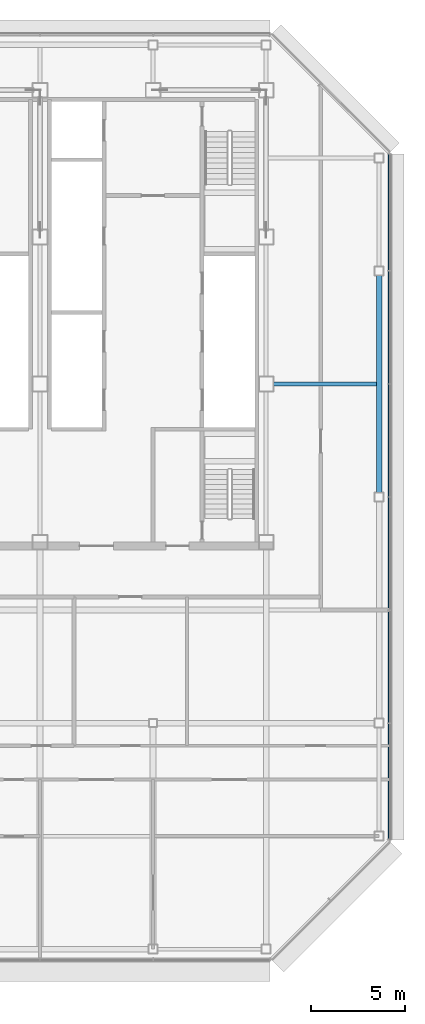
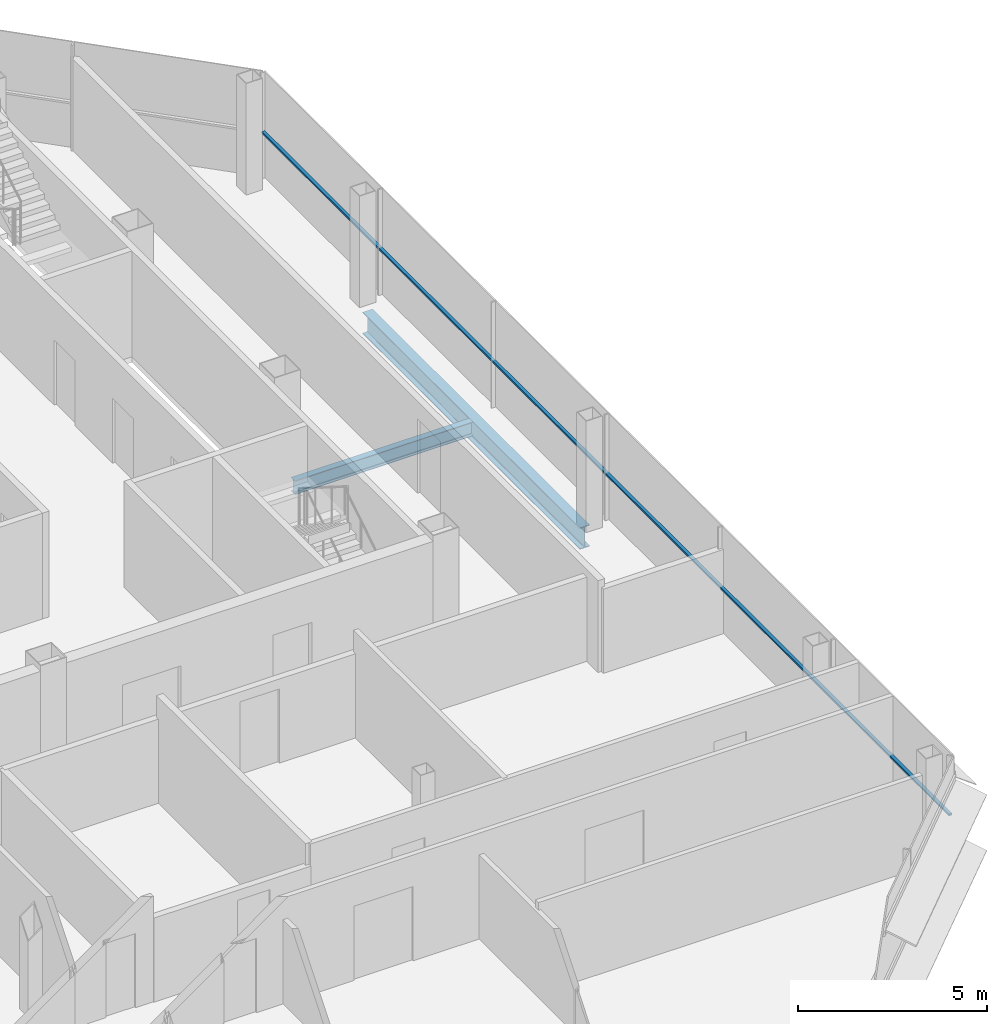
# One storey, part 18 of 27: 2 beams, 1 member, 1 element without a shape of its own.
"""IFC4 building model written with IfcOpenShell, lengths in metres."""

from ifc_helpers import new_model, si_unit, direction, frame, origin, origin_2d, place, context, subcontext, project, spatial, rectangle, i_section, extrude, material, material_profile, profile_set, type_object, element, aggregate, save


model = new_model("IFC4")

# Units and contexts
model_context = context("Model", 3, precision=1e-05, world=origin(), true_north=direction((0.0, 1.0)))
body_context = subcontext(model_context, "Body", "Model", "MODEL_VIEW")
ifc_project = project(units=[si_unit("LENGTHUNIT", "METRE"), si_unit("AREAUNIT", "SQUARE_METRE"), si_unit("VOLUMEUNIT", "CUBIC_METRE"), si_unit("PLANEANGLEUNIT", "RADIAN"), si_unit("MASSUNIT", "GRAM", prefix="KILO")], contexts=[model_context])

# Site, building, storey
site_placement = place(None, origin())
site = spatial("IfcSite", under=ifc_project, at=site_placement, CompositionType="ELEMENT")
building_placement = place(site_placement, origin())
building = spatial("IfcBuilding", under=site, at=building_placement, Name="Sorahane Residences", CompositionType="ELEMENT")
storey_placement = place(building_placement, frame((0.0, 0.0, 323.199951171875)))
storey = spatial("IfcBuildingStorey", under=building, at=storey_placement, Name="L77", CompositionType="ELEMENT", Elevation=323.199951171875)

# Curtain wall, member
ifc_material_1 = material(Name="Dark low-e glass and black anodised aluminium", Category="aluminium")
curtain_wall_type = type_object("IfcCurtainWallType", Name="Curtain wall CW-1 Typical unitised wall", PredefinedType="NOTDEFINED", material=ifc_material_1)
curtain_wall_placement = place(storey_placement, origin())
curtain_wall = element("IfcCurtainWall", 1, at=curtain_wall_placement, inside=storey, type_object=curtain_wall_type, Name="CW-1 curtain wall L77 E1", PredefinedType="NOTDEFINED")
ifc_material_2 = material(Name="Black anodised aluminium", Category="aluminium")
ifc_material_profile_1 = material_profile(ifc_material_2, rectangle(XDim=0.10009765625, YDim=0.06005859375, at=origin_2d()), Name="Curtain wall transom CW-1 black anodised aluminium 60x100")
ifc_profile_set_1 = profile_set([ifc_material_profile_1], Name="Black anodised aluminium")
member_type = type_object("IfcMemberType", Name="Curtain wall transom CW-1 black anodised aluminium 60x100", PredefinedType="USERDEFINED", material=ifc_profile_set_1)
member_placement = place(storey_placement, frame((48.530029296875, 5.801513671875, 1.5), z_axis=(0.0, 1.0, 0.0), x_axis=(-1.0, 0.0, 0.0)))
member = element("IfcMember", 2, at=member_placement, type_object=member_type, Name="CW-1 transom L77 E1", ObjectType="TRANSOM", PredefinedType="USERDEFINED", context=body_context, shape_type="SweptSolid", body=[
    extrude(rectangle(XDim=0.10009765625, YDim=0.06005859375, at=origin_2d()), origin(), (0.0, 0.0, 1.0), 36.39697265625),
])
aggregate(curtain_wall, [member])

# Beams
ifc_material_3 = material(Name="Steel Q355B", Category="steel")
ifc_material_profile_2 = material_profile(ifc_material_3, i_section(OverallWidth=0.199951171875, OverallDepth=0.449951171875, WebThickness=0.009033203125, FlangeThickness=0.013916015625, FilletRadius=0.02001953125, at=origin_2d()), Name="HN 450x200x9x14")
ifc_profile_set_2 = profile_set([ifc_material_profile_2], Name="Steel Q355B")
beam_type_1 = type_object("IfcBeamType", Name="Steel floor beam HN 450x200x9x14 Q355B", PredefinedType="BEAM", material=ifc_profile_set_2)
beam_1_placement = place(storey_placement, frame((42.39990234375, 30.0, -0.405029296875), z_axis=(1.0, 0.0, 0.0), x_axis=(0.0, 1.0, 0.0)))
element("IfcBeam", 3, at=beam_1_placement, inside=storey, type_object=beam_type_1, Name="Beam L77 086", PredefinedType="BEAM", context=body_context, shape_type="SweptSolid", body=[
    extrude(i_section(OverallWidth=0.199951171875, OverallDepth=0.449951171875, WebThickness=0.009033203125, FlangeThickness=0.013916015625, FilletRadius=0.02001953125, at=origin_2d()), origin(), (0.0, 0.0, 1.0), 5.4501953125),
])
ifc_material_4 = material(Name="Steel Q355B", Category="steel")
ifc_material_profile_3 = material_profile(ifc_material_4, i_section(OverallWidth=0.300048828125, OverallDepth=0.699951171875, WebThickness=0.012939453125, FlangeThickness=0.02392578125, FilletRadius=0.028076171875, at=origin_2d()), Name="HN 700x300x13x24")
ifc_profile_set_3 = profile_set([ifc_material_profile_3], Name="Steel Q355B")
beam_type_2 = type_object("IfcBeamType", Name="Steel floor beam HN 700x300x13x24 Q355B", PredefinedType="BEAM", material=ifc_profile_set_3)
beam_2_placement = place(storey_placement, frame((48.0, 24.25, -0.530029296875), z_axis=(0.0, 1.0, 0.0), x_axis=(-1.0, 0.0, 0.0)))
element("IfcBeam", 4, at=beam_2_placement, inside=storey, type_object=beam_type_2, Name="Beam L77 064", PredefinedType="BEAM", context=body_context, shape_type="SweptSolid", body=[
    extrude(i_section(OverallWidth=0.300048828125, OverallDepth=0.699951171875, WebThickness=0.012939453125, FlangeThickness=0.02392578125, FilletRadius=0.028076171875, at=origin_2d()), origin(), (0.0, 0.0, 1.0), 11.5),
])

save(model, "model.ifc")
